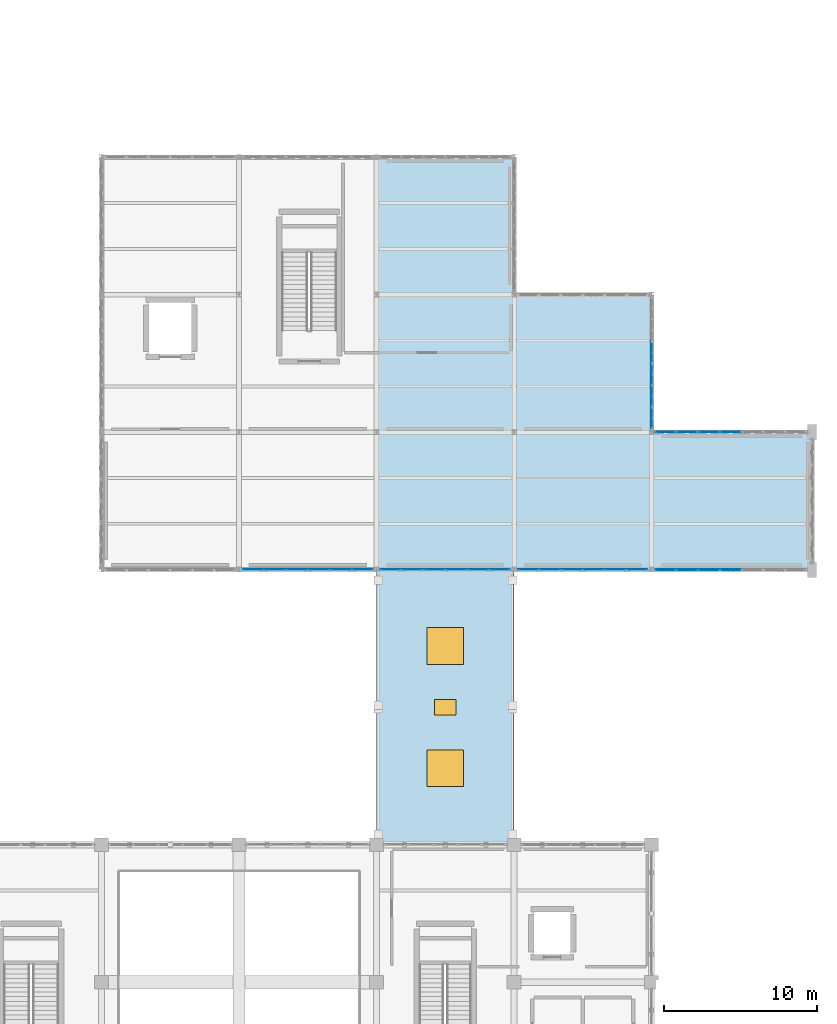
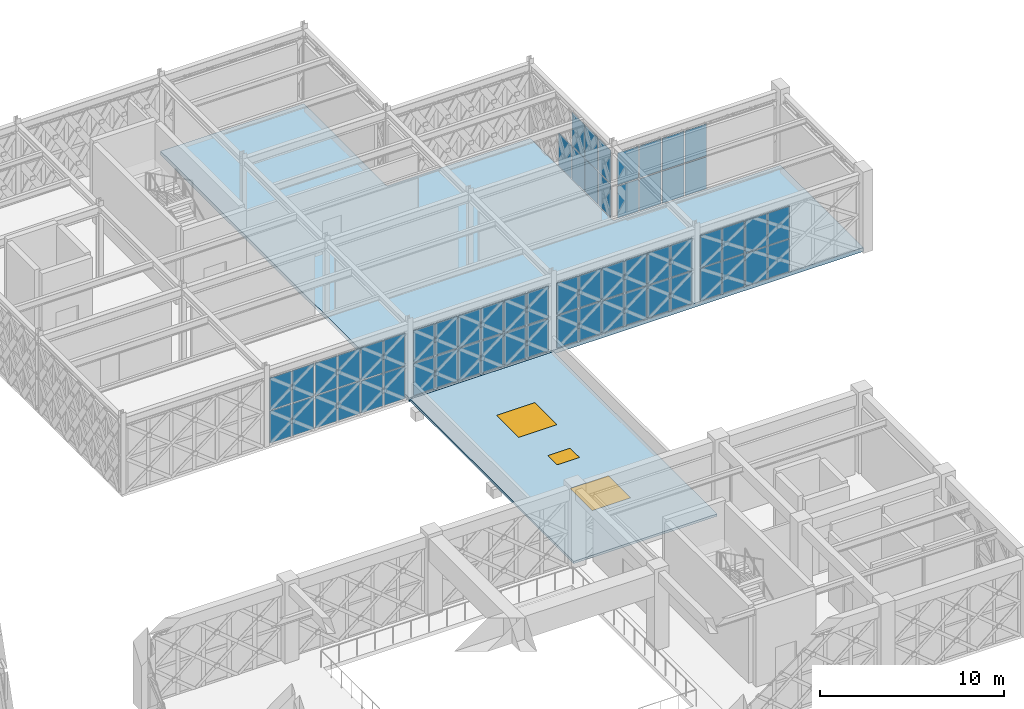
# One storey, part 129 of 155: 59 plates, 2 slabs, 2 windows, 1 door, 3 openings, 6 elements without a shape of their own.
"""IFC4 building model written with IfcOpenShell, lengths in metres."""

import ifcopenshell
import ifcopenshell.guid

model = None  # the IFC model being written
_history = None  # IfcOwnerHistory: only IFC2X3 demands one
_inside = {}  # id of a spatial element -> (the spatial element, [elements in it])
_under = {}  # id of a project, library or spatial element -> (it, [spatial elements below it])
_declared = {}  # id of a project -> (the project, [libraries it declares])
_typed = {}  # id of a type object -> (the type object, [elements of that type])
_made_of = {}  # id of a material, layer set ... -> (it, [elements and type objects made of it])


def new_model(schema):
    """Start an empty IFC model of exactly this schema.

    Asked for "IFC4X3", IfcOpenShell would pick the latest addendum, in which some entities
    have other attributes; the version numbers below select the first issue.
    IFC2X3 requires an IfcOwnerHistory on every rooted entity: one is made here for all.
    """
    global model, _history
    if schema == "IFC4X3":
        model = ifcopenshell.file(schema_version=(4, 3, 0, 0))
    else:
        model = ifcopenshell.file(schema=schema)
    _inside.clear()
    _under.clear()
    _declared.clear()
    _typed.clear()
    _made_of.clear()
    _history = None
    if model.schema == "IFC2X3":
        org = make("IfcOrganization", Name="unknown")
        user = make(
            "IfcPersonAndOrganization",
            ThePerson=make("IfcPerson", FamilyName="unknown"),
            TheOrganization=org,
        )
        app = make(
            "IfcApplication",
            ApplicationDeveloper=org,
            Version="unknown",
            ApplicationFullName="unknown",
            ApplicationIdentifier="unknown",
        )
        _history = make(
            "IfcOwnerHistory",
            OwningUser=user,
            OwningApplication=app,
            ChangeAction="ADDED",
            CreationDate=0,
        )
    return model


def make(cls, **values):
    """One entity of the class cls with the attributes given. An attribute that is None is left unset."""
    return model.create_entity(
        cls, **{name: value for name, value in values.items() if value is not None}
    )


def rooted(cls, **values):
    """An entity with a GlobalId (a new one), such as an element, a storey or a relation."""
    return make(cls, GlobalId=ifcopenshell.guid.new(), OwnerHistory=_history, **values)


def si_unit(unit_type, name, prefix=None):
    """IfcSIUnit, for example si_unit("LENGTHUNIT", "METRE", prefix="MILLI")."""
    return make("IfcSIUnit", UnitType=unit_type, Prefix=prefix, Name=name)


def assignment(units):
    """IfcUnitAssignment: the units of a project."""
    return None if units is None else make("IfcUnitAssignment", Units=units)


def point(xyz):
    """IfcCartesianPoint."""
    return None if xyz is None else make("IfcCartesianPoint", Coordinates=xyz)


def direction(xyz):
    """IfcDirection."""
    return None if xyz is None else make("IfcDirection", DirectionRatios=xyz)


def frame(location, z_axis=None, x_axis=None):
    """IfcAxis2Placement3D, a coordinate frame: its origin and axes. An axis left out is left unset."""
    return make(
        "IfcAxis2Placement3D",
        Location=point(location),
        Axis=direction(z_axis),
        RefDirection=direction(x_axis),
    )


def frame_2d(location, x_axis=None):
    """IfcAxis2Placement2D, a coordinate frame in the plane: its origin and x axis."""
    return make(
        "IfcAxis2Placement2D", Location=point(location), RefDirection=direction(x_axis)
    )


def origin():
    """The frame at (0, 0, 0) with its axes left unset."""
    return frame((0.0, 0.0, 0.0))


def origin_2d():
    """The frame at (0, 0) in the plane with its x axis left unset."""
    return frame_2d((0.0, 0.0))


def place(relative_to, where):
    """IfcLocalPlacement: puts the frame where relative to a parent placement (None: the world)."""
    return make(
        "IfcLocalPlacement", PlacementRelTo=relative_to, RelativePlacement=where
    )


def context(
    kind, dimensions, precision=None, world=None, true_north=None, identifier=None
):
    """IfcGeometricRepresentationContext, for example the 3D "Model" context."""
    return make(
        "IfcGeometricRepresentationContext",
        ContextIdentifier=identifier,
        ContextType=kind,
        CoordinateSpaceDimension=dimensions,
        Precision=precision,
        WorldCoordinateSystem=world,
        TrueNorth=true_north,
    )


def subcontext(parent, identifier, kind, view, scale=None):
    """IfcGeometricRepresentationSubContext, for example "Body" below "Model"."""
    return make(
        "IfcGeometricRepresentationSubContext",
        ContextIdentifier=identifier,
        ContextType=kind,
        ParentContext=parent,
        TargetScale=scale,
        TargetView=view,
    )


def project(units=None, contexts=None):
    """IfcProject with its units and contexts."""
    return rooted(
        "IfcProject",
        Name="project",
        RepresentationContexts=contexts,
        UnitsInContext=assignment(units),
    )


def spatial(cls, under=None, at=None, **own):
    """A site, building, storey or space (cls), placed at a placement, below another one or the project."""
    s = rooted(cls, ObjectPlacement=at, **own)
    if under is not None:
        _under.setdefault(under.id(), (under, []))[1].append(s)
    return s


def polyline(points):
    """IfcPolyline through the points."""
    return make("IfcPolyline", Points=[point(p) for p in points])


def profile(cls, at=None, kind="AREA", **sizes):
    """A parametric profile (cls). Its sizes go by their IFC names, for example OverallWidth=200.0."""
    return make(cls, ProfileType=kind, Position=at, **sizes)


def rectangle(**sizes):
    """IfcRectangleProfileDef."""
    return profile("IfcRectangleProfileDef", **sizes)


def outline(outer, holes=None, kind="AREA"):
    """IfcArbitraryClosedProfileDef: a profile drawn as a closed curve; with holes, ...WithVoids."""
    if holes is None:
        return make("IfcArbitraryClosedProfileDef", ProfileType=kind, OuterCurve=outer)
    return make(
        "IfcArbitraryProfileDefWithVoids",
        ProfileType=kind,
        OuterCurve=outer,
        InnerCurves=holes,
    )


def extrude(swept, where, along, depth):
    """IfcExtrudedAreaSolid: the profile swept, set in the frame where, extruded along a direction by depth."""
    return make(
        "IfcExtrudedAreaSolid",
        SweptArea=swept,
        Position=where,
        ExtrudedDirection=direction(along),
        Depth=depth,
    )


def shape(context_of_items, identifier, shape_type, items):
    """IfcShapeRepresentation: the items that make up one representation, for example the "Body"."""
    return make(
        "IfcShapeRepresentation",
        ContextOfItems=context_of_items,
        RepresentationIdentifier=identifier,
        RepresentationType=shape_type,
        Items=items,
    )


def material(Name=None, Category=None):
    """IfcMaterial."""
    return make("IfcMaterial", Name=Name, Category=Category)


def layer(
    of_material, thickness, ventilated=None, Name=None, Category=None, Priority=None
):
    """IfcMaterialLayer: one layer of a wall or slab, of a material (None: an air gap)."""
    return make(
        "IfcMaterialLayer",
        Material=of_material,
        LayerThickness=thickness,
        IsVentilated=ventilated,
        Name=Name,
        Category=Category,
        Priority=Priority,
    )


def layer_set(layers, Name=None):
    """IfcMaterialLayerSet."""
    return make("IfcMaterialLayerSet", MaterialLayers=layers, LayerSetName=Name)


def made_of(thing, what):
    """Note that an element or type object is made of a material, layer set ...; save() writes the relation."""
    if what is not None:
        _made_of.setdefault(what.id(), (what, []))[1].append(thing)
    return thing


def type_object(cls, material=None, **own):
    """A type object (cls), such as IfcWallType, which elements share."""
    return made_of(rooted(cls, **own), material)


def element(
    cls,
    number,
    at=None,
    inside=None,
    cuts=None,
    type_object=None,
    material=None,
    context=None,
    identifier="Body",
    shape_type=None,
    held_by="IfcProductDefinitionShape",
    body=None,
    shapes=None,
    **own,
):
    """One element of the class cls, such as IfcWall. Its Tag is "e" and its number.

    at: its placement. inside: the storey or other place that contains it. cuts: it is an
    opening in that element (IfcRelVoidsElement). A single representation is given by context,
    identifier, shape_type and body (its items); several are given by shapes. held_by: the class
    of the entity that holds the representations. save() writes the other relations.
    """
    e = rooted(cls, Tag="e%d" % number, ObjectPlacement=at, **own)
    if body is not None:
        shapes = [shape(context, identifier, shape_type, body)]
    if shapes is not None:
        e.Representation = make(held_by, Representations=shapes)
    if inside is not None:
        _inside.setdefault(inside.id(), (inside, []))[1].append(e)
    if cuts is not None:
        rooted(
            "IfcRelVoidsElement", RelatingBuildingElement=cuts, RelatedOpeningElement=e
        )
    if type_object is not None:
        _typed.setdefault(type_object.id(), (type_object, []))[1].append(e)
    return made_of(e, material)


def fill(opening, filler):
    """IfcRelFillsElement: the door or window that sits in an opening."""
    return rooted(
        "IfcRelFillsElement",
        RelatingOpeningElement=opening,
        RelatedBuildingElement=filler,
    )


def aggregate(whole, parts):
    """IfcRelAggregates: a whole, such as a stair, and the parts it consists of."""
    return rooted("IfcRelAggregates", RelatingObject=whole, RelatedObjects=parts)


def save(model, path):
    """Write the relations noted so far, then the file.

    IfcRelAggregates (storeys below a building ...), IfcRelContainedInSpatialStructure (elements
    in a storey), IfcRelDefinesByType, IfcRelAssociatesMaterial and IfcRelDeclares: one each for
    every whole, place, type object, material and project.
    """
    for whole, parts in _under.values():
        aggregate(whole, parts)
    for where, things in _inside.values():
        rooted(
            "IfcRelContainedInSpatialStructure",
            RelatedElements=things,
            RelatingStructure=where,
        )
    for kind, things in _typed.values():
        rooted("IfcRelDefinesByType", RelatedObjects=things, RelatingType=kind)
    for what, things in _made_of.values():
        rooted("IfcRelAssociatesMaterial", RelatedObjects=things, RelatingMaterial=what)
    for by, libraries in _declared.values():
        rooted("IfcRelDeclares", RelatingContext=by, RelatedDefinitions=libraries)
    model.write(path)


model = new_model("IFC4")

# Units and contexts
model_context = context("Model", 3, precision=1e-05, world=origin(), true_north=direction((0.0, 1.0)))
body_context = subcontext(model_context, "Body", "Model", "MODEL_VIEW")
ifc_project = project(units=[si_unit("LENGTHUNIT", "METRE"), si_unit("AREAUNIT", "SQUARE_METRE"), si_unit("VOLUMEUNIT", "CUBIC_METRE"), si_unit("PLANEANGLEUNIT", "RADIAN"), si_unit("MASSUNIT", "GRAM", prefix="KILO")], contexts=[model_context])

# Site, building, storey
site_placement = place(None, origin())
site = spatial("IfcSite", under=ifc_project, at=site_placement, CompositionType="ELEMENT")
building_placement = place(site_placement, origin())
building = spatial("IfcBuilding", under=site, at=building_placement, Name="Haizhuo Lancet Aquarium", CompositionType="ELEMENT")
storey_placement = place(building_placement, frame((0.0, 0.0, 10.800048828125)))
storey = spatial("IfcBuildingStorey", under=building, at=storey_placement, Name="L02", CompositionType="ELEMENT", Elevation=10.800048828125)

# Curtain wall, plates
ifc_material_1 = material(Name="Aluminium 6063-T6", Category="aluminium")
curtain_wall_type_1 = type_object("IfcCurtainWallType", Name="CWD-8610x4560", PredefinedType="NOTDEFINED", material=ifc_material_1)
curtain_wall_1_placement = place(storey_placement, origin())
curtain_wall_1 = element("IfcCurtainWall", 1, at=curtain_wall_1_placement, inside=storey, type_object=curtain_wall_type_1, Name="L02 curtain wall CW-V7-L02-301", PredefinedType="NOTDEFINED")
ifc_material_2 = material(Name="Laminated Low-E Glass", Category="glass")
ifc_layer_1 = layer(ifc_material_2, 0.028076171875)
ifc_layer_set_1 = layer_set([ifc_layer_1], Name="Laminated Low-E Glass")
plate_type_1 = type_object("IfcPlateType", Name="CW-PNL-1", PredefinedType="CURTAIN_PANEL", material=ifc_layer_set_1)
plate_1_placement = place(storey_placement, frame((72.0, 23.218017578125, 0.0654296875), z_axis=(0.0, 0.0, 1.0), x_axis=(0.0, -1.0, 0.0)))
plate_1 = element("IfcPlate", 2, at=plate_1_placement, type_object=plate_type_1, Name="CWD-86x45 panel 3.1", PredefinedType="CURTAIN_PANEL", context=body_context, shape_type="SweptSolid", body=[
    extrude(rectangle(XDim=1.3701171875, YDim=0.028076171875, at=origin_2d()), origin(), (0.0, 0.0, 1.0), 2.18310546875),
])
plate_2_placement = place(storey_placement, frame((72.0, 21.781982421875, 0.0654296875), z_axis=(0.0, 0.0, 1.0), x_axis=(0.0, -1.0, 0.0)))
plate_2 = element("IfcPlate", 3, at=plate_2_placement, type_object=plate_type_1, Name="CWD-86x45 panel 4.1", PredefinedType="CURTAIN_PANEL", context=body_context, shape_type="SweptSolid", body=[
    extrude(rectangle(XDim=1.3701171875, YDim=0.028076171875, at=origin_2d()), origin(), (0.0, 0.0, 1.0), 2.18310546875),
])
plate_3_placement = place(storey_placement, frame((72.0, 21.781982421875, 2.3134765625), z_axis=(0.0, 0.0, 1.0), x_axis=(0.0, -1.0, 0.0)))
plate_3 = element("IfcPlate", 4, at=plate_3_placement, type_object=plate_type_1, Name="CWD-86x45 panel 4.2", PredefinedType="CURTAIN_PANEL", context=body_context, shape_type="SweptSolid", body=[
    extrude(rectangle(XDim=1.3701171875, YDim=0.028076171875, at=origin_2d()), origin(), (0.0, 0.0, 1.0), 2.18310546875),
])
plate_4_placement = place(storey_placement, frame((72.0, 20.347900390625, 0.0654296875), z_axis=(0.0, 0.0, 1.0), x_axis=(0.0, -1.0, 0.0)))
plate_4 = element("IfcPlate", 5, at=plate_4_placement, type_object=plate_type_1, Name="CWD-86x45 panel 5.1", PredefinedType="CURTAIN_PANEL", context=body_context, shape_type="SweptSolid", body=[
    extrude(rectangle(XDim=1.3701171875, YDim=0.028076171875, at=origin_2d()), origin(), (0.0, 0.0, 1.0), 2.18310546875),
])
plate_5_placement = place(storey_placement, frame((72.0, 20.347900390625, 2.3134765625), z_axis=(0.0, 0.0, 1.0), x_axis=(0.0, -1.0, 0.0)))
plate_5 = element("IfcPlate", 6, at=plate_5_placement, type_object=plate_type_1, Name="CWD-86x45 panel 5.2", PredefinedType="CURTAIN_PANEL", context=body_context, shape_type="SweptSolid", body=[
    extrude(rectangle(XDim=1.3701171875, YDim=0.028076171875, at=origin_2d()), origin(), (0.0, 0.0, 1.0), 2.18310546875),
])
plate_6_placement = place(storey_placement, frame((72.0, 18.928955078125, 0.0654296875), z_axis=(0.0, 0.0, 1.0), x_axis=(0.0, -1.0, 0.0)))
plate_6 = element("IfcPlate", 7, at=plate_6_placement, type_object=plate_type_1, Name="CWD-86x45 panel 6.1", PredefinedType="CURTAIN_PANEL", context=body_context, shape_type="SweptSolid", body=[
    extrude(rectangle(XDim=1.3369140625, YDim=0.028076171875, at=origin_2d()), origin(), (0.0, 0.0, 1.0), 2.18310546875),
])
plate_7_placement = place(storey_placement, frame((72.0, 18.928955078125, 2.3134765625), z_axis=(0.0, 0.0, 1.0), x_axis=(0.0, -1.0, 0.0)))
plate_7 = element("IfcPlate", 8, at=plate_7_placement, type_object=plate_type_1, Name="CWD-86x45 panel 6.2", PredefinedType="CURTAIN_PANEL", context=body_context, shape_type="SweptSolid", body=[
    extrude(rectangle(XDim=1.3369140625, YDim=0.028076171875, at=origin_2d()), origin(), (0.0, 0.0, 1.0), 2.18310546875),
])
aggregate(curtain_wall_1, [plate_1, plate_2, plate_3, plate_4, plate_5, plate_6, plate_7])

curtain_wall_type_2 = type_object("IfcCurtainWallType", Name="CWO-8610x4460", PredefinedType="NOTDEFINED", material=ifc_material_1)
curtain_wall_2_placement = place(storey_placement, origin())
curtain_wall_2 = element("IfcCurtainWall", 9, at=curtain_wall_2_placement, inside=storey, type_object=curtain_wall_type_2, Name="L02 curtain wall CW-V7-L02-305", PredefinedType="NOTDEFINED")
plate_8_placement = place(storey_placement, frame((71.069091796875, 9.0, 0.07470703125), z_axis=(0.0, 0.0, 1.0), x_axis=(-1.0, 0.0, 0.0)))
plate_8 = element("IfcPlate", 10, at=plate_8_placement, type_object=plate_type_1, Name="CWO-86x44 panel 1.1", PredefinedType="CURTAIN_PANEL", context=body_context, shape_type="SweptSolid", body=[
    extrude(rectangle(XDim=1.322998046875, YDim=0.028076171875, at=origin_2d()), origin(), (0.0, 0.0, 1.0), 2.118896484375),
])
plate_9_placement = place(storey_placement, frame((71.069091796875, 9.0, 2.2685546875), z_axis=(0.0, 0.0, 1.0), x_axis=(-1.0, 0.0, 0.0)))
plate_9 = element("IfcPlate", 11, at=plate_9_placement, type_object=plate_type_1, Name="CWO-86x44 panel 1.2", PredefinedType="CURTAIN_PANEL", context=body_context, shape_type="SweptSolid", body=[
    extrude(rectangle(XDim=1.322998046875, YDim=0.028076171875, at=origin_2d()), origin(), (0.0, 0.0, 1.0), 2.118896484375),
])
plate_10_placement = place(storey_placement, frame((69.653076171875, 9.0, 0.07470703125), z_axis=(0.0, 0.0, 1.0), x_axis=(-1.0, 0.0, 0.0)))
plate_10 = element("IfcPlate", 12, at=plate_10_placement, type_object=plate_type_1, Name="CWO-86x44 panel 2.1", PredefinedType="CURTAIN_PANEL", context=body_context, shape_type="SweptSolid", body=[
    extrude(rectangle(XDim=1.360107421875, YDim=0.028076171875, at=origin_2d()), origin(), (0.0, 0.0, 1.0), 2.118896484375),
])
plate_11_placement = place(storey_placement, frame((69.653076171875, 9.0, 2.2685546875), z_axis=(0.0, 0.0, 1.0), x_axis=(-1.0, 0.0, 0.0)))
plate_11 = element("IfcPlate", 13, at=plate_11_placement, type_object=plate_type_1, Name="CWO-86x44 panel 2.2", PredefinedType="CURTAIN_PANEL", context=body_context, shape_type="SweptSolid", body=[
    extrude(rectangle(XDim=1.360107421875, YDim=0.028076171875, at=origin_2d()), origin(), (0.0, 0.0, 1.0), 2.118896484375),
])
plate_12_placement = place(storey_placement, frame((68.218017578125, 9.0, 0.07470703125), z_axis=(0.0, 0.0, 1.0), x_axis=(-1.0, 0.0, 0.0)))
plate_12 = element("IfcPlate", 14, at=plate_12_placement, type_object=plate_type_1, Name="CWO-86x44 panel 3.1", PredefinedType="CURTAIN_PANEL", context=body_context, shape_type="SweptSolid", body=[
    extrude(rectangle(XDim=1.360107421875, YDim=0.028076171875, at=origin_2d()), origin(), (0.0, 0.0, 1.0), 2.118896484375),
])
plate_13_placement = place(storey_placement, frame((68.218017578125, 9.0, 2.2685546875), z_axis=(0.0, 0.0, 1.0), x_axis=(-1.0, 0.0, 0.0)))
plate_13 = element("IfcPlate", 15, at=plate_13_placement, type_object=plate_type_1, Name="CWO-86x44 panel 3.2", PredefinedType="CURTAIN_PANEL", context=body_context, shape_type="SweptSolid", body=[
    extrude(rectangle(XDim=1.360107421875, YDim=0.028076171875, at=origin_2d()), origin(), (0.0, 0.0, 1.0), 2.118896484375),
])
plate_14_placement = place(storey_placement, frame((66.781982421875, 9.0, 0.07470703125), z_axis=(0.0, 0.0, 1.0), x_axis=(-1.0, 0.0, 0.0)))
plate_14 = element("IfcPlate", 16, at=plate_14_placement, type_object=plate_type_1, Name="CWO-86x44 panel 4.1", PredefinedType="CURTAIN_PANEL", context=body_context, shape_type="SweptSolid", body=[
    extrude(rectangle(XDim=1.360107421875, YDim=0.028076171875, at=origin_2d()), origin(), (0.0, 0.0, 1.0), 2.118896484375),
])
plate_15_placement = place(storey_placement, frame((66.781982421875, 9.0, 2.2685546875), z_axis=(0.0, 0.0, 1.0), x_axis=(-1.0, 0.0, 0.0)))
plate_15 = element("IfcPlate", 17, at=plate_15_placement, type_object=plate_type_1, Name="CWO-86x44 panel 4.2", PredefinedType="CURTAIN_PANEL", context=body_context, shape_type="SweptSolid", body=[
    extrude(rectangle(XDim=1.360107421875, YDim=0.028076171875, at=origin_2d()), origin(), (0.0, 0.0, 1.0), 2.118896484375),
])
plate_16_placement = place(storey_placement, frame((65.346923828125, 9.0, 0.07470703125), z_axis=(0.0, 0.0, 1.0), x_axis=(-1.0, 0.0, 0.0)))
plate_16 = element("IfcPlate", 18, at=plate_16_placement, type_object=plate_type_1, Name="CWO-86x44 panel 5.1", PredefinedType="CURTAIN_PANEL", context=body_context, shape_type="SweptSolid", body=[
    extrude(rectangle(XDim=1.360107421875, YDim=0.028076171875, at=origin_2d()), origin(), (0.0, 0.0, 1.0), 2.118896484375),
])
plate_17_placement = place(storey_placement, frame((65.346923828125, 9.0, 2.2685546875), z_axis=(0.0, 0.0, 1.0), x_axis=(-1.0, 0.0, 0.0)))
plate_17 = element("IfcPlate", 19, at=plate_17_placement, type_object=plate_type_1, Name="CWO-86x44 panel 5.2", PredefinedType="CURTAIN_PANEL", context=body_context, shape_type="SweptSolid", body=[
    extrude(rectangle(XDim=1.360107421875, YDim=0.028076171875, at=origin_2d()), origin(), (0.0, 0.0, 1.0), 2.118896484375),
])
plate_18_placement = place(storey_placement, frame((63.930908203125, 9.0, 0.07470703125), z_axis=(0.0, 0.0, 1.0), x_axis=(-1.0, 0.0, 0.0)))
plate_18 = element("IfcPlate", 20, at=plate_18_placement, type_object=plate_type_1, Name="CWO-86x44 panel 6.1", PredefinedType="CURTAIN_PANEL", context=body_context, shape_type="SweptSolid", body=[
    extrude(rectangle(XDim=1.322998046875, YDim=0.028076171875, at=origin_2d()), origin(), (0.0, 0.0, 1.0), 2.118896484375),
])
plate_19_placement = place(storey_placement, frame((63.930908203125, 9.0, 2.2685546875), z_axis=(0.0, 0.0, 1.0), x_axis=(-1.0, 0.0, 0.0)))
plate_19 = element("IfcPlate", 21, at=plate_19_placement, type_object=plate_type_1, Name="CWO-86x44 panel 6.2", PredefinedType="CURTAIN_PANEL", context=body_context, shape_type="SweptSolid", body=[
    extrude(rectangle(XDim=1.322998046875, YDim=0.028076171875, at=origin_2d()), origin(), (0.0, 0.0, 1.0), 2.118896484375),
])
aggregate(curtain_wall_2, [plate_8, plate_9, plate_10, plate_11, plate_12, plate_13, plate_14, plate_15, plate_16, plate_17, plate_18, plate_19])

curtain_wall_type_3 = type_object("IfcCurtainWallType", Name="CWD-9960x4460", PredefinedType="NOTDEFINED", material=ifc_material_1)
curtain_wall_3_placement = place(storey_placement, origin())
curtain_wall_3 = element("IfcCurtainWall", 22, at=curtain_wall_3_placement, inside=storey, type_object=curtain_wall_type_3, Name="L02 curtain wall CW-V7-L02-302", PredefinedType="NOTDEFINED")
ifc_layer_2 = layer(ifc_material_2, 0.033935546875)
ifc_layer_set_2 = layer_set([ifc_layer_2], Name="Laminated Low-E Glass")
plate_type_2 = type_object("IfcPlateType", Name="CW-PNL-2", PredefinedType="CURTAIN_PANEL", material=ifc_layer_set_2)
plate_20_placement = place(storey_placement, frame((72.925048828125, 18.0, 0.07470703125), z_axis=(0.0, 0.0, 1.0), x_axis=(1.0, 0.0, 0.0)))
plate_20 = element("IfcPlate", 23, at=plate_20_placement, type_object=plate_type_2, Name="CWD-99x44 panel 1.1", PredefinedType="CURTAIN_PANEL", context=body_context, shape_type="SweptSolid", body=[
    extrude(rectangle(XDim=1.31005859375, YDim=0.033935546875, at=origin_2d()), origin(), (0.0, 0.0, 1.0), 2.118896484375),
])
plate_21_placement = place(storey_placement, frame((72.925048828125, 18.0, 2.2685546875), z_axis=(0.0, 0.0, 1.0), x_axis=(1.0, 0.0, 0.0)))
plate_21 = element("IfcPlate", 24, at=plate_21_placement, type_object=plate_type_2, Name="CWD-99x44 panel 1.2", PredefinedType="CURTAIN_PANEL", context=body_context, shape_type="SweptSolid", body=[
    extrude(rectangle(XDim=1.31005859375, YDim=0.033935546875, at=origin_2d()), origin(), (0.0, 0.0, 1.0), 2.118896484375),
])
plate_22_placement = place(storey_placement, frame((74.3291015625, 18.0, 0.07470703125), z_axis=(0.0, 0.0, 1.0), x_axis=(1.0, 0.0, 0.0)))
plate_22 = element("IfcPlate", 25, at=plate_22_placement, type_object=plate_type_2, Name="CWD-99x44 panel 2.1", PredefinedType="CURTAIN_PANEL", context=body_context, shape_type="SweptSolid", body=[
    extrude(rectangle(XDim=1.347900390625, YDim=0.033935546875, at=origin_2d()), origin(), (0.0, 0.0, 1.0), 2.118896484375),
])
plate_23_placement = place(storey_placement, frame((74.3291015625, 18.0, 2.2685546875), z_axis=(0.0, 0.0, 1.0), x_axis=(1.0, 0.0, 0.0)))
plate_23 = element("IfcPlate", 26, at=plate_23_placement, type_object=plate_type_2, Name="CWD-99x44 panel 2.2", PredefinedType="CURTAIN_PANEL", context=body_context, shape_type="SweptSolid", body=[
    extrude(rectangle(XDim=1.347900390625, YDim=0.033935546875, at=origin_2d()), origin(), (0.0, 0.0, 1.0), 2.118896484375),
])
plate_24_placement = place(storey_placement, frame((75.751953125, 18.0, 0.07470703125), z_axis=(0.0, 0.0, 1.0), x_axis=(1.0, 0.0, 0.0)))
plate_24 = element("IfcPlate", 27, at=plate_24_placement, type_object=plate_type_2, Name="CWD-99x44 panel 3.1", PredefinedType="CURTAIN_PANEL", context=body_context, shape_type="SweptSolid", body=[
    extrude(rectangle(XDim=1.347900390625, YDim=0.033935546875, at=origin_2d()), origin(), (0.0, 0.0, 1.0), 2.118896484375),
])
plate_25_placement = place(storey_placement, frame((75.751953125, 18.0, 2.2685546875), z_axis=(0.0, 0.0, 1.0), x_axis=(1.0, 0.0, 0.0)))
plate_25 = element("IfcPlate", 28, at=plate_25_placement, type_object=plate_type_2, Name="CWD-99x44 panel 3.2", PredefinedType="CURTAIN_PANEL", context=body_context, shape_type="SweptSolid", body=[
    extrude(rectangle(XDim=1.347900390625, YDim=0.033935546875, at=origin_2d()), origin(), (0.0, 0.0, 1.0), 2.118896484375),
])
plate_26_placement = place(storey_placement, frame((77.175048828125, 18.0, 0.07470703125), z_axis=(0.0, 0.0, 1.0), x_axis=(1.0, 0.0, 0.0)))
plate_26 = element("IfcPlate", 29, at=plate_26_placement, type_object=plate_type_2, Name="CWD-99x44 panel 4.1", PredefinedType="CURTAIN_PANEL", context=body_context, shape_type="SweptSolid", body=[
    extrude(rectangle(XDim=1.347900390625, YDim=0.033935546875, at=origin_2d()), origin(), (0.0, 0.0, 1.0), 2.118896484375),
])
plate_27_placement = place(storey_placement, frame((77.175048828125, 18.0, 2.2685546875), z_axis=(0.0, 0.0, 1.0), x_axis=(1.0, 0.0, 0.0)))
plate_27 = element("IfcPlate", 30, at=plate_27_placement, type_object=plate_type_2, Name="CWD-99x44 panel 4.2", PredefinedType="CURTAIN_PANEL", context=body_context, shape_type="SweptSolid", body=[
    extrude(rectangle(XDim=1.347900390625, YDim=0.033935546875, at=origin_2d()), origin(), (0.0, 0.0, 1.0), 2.118896484375),
])
aggregate(curtain_wall_3, [plate_20, plate_21, plate_22, plate_23, plate_24, plate_25, plate_26, plate_27])

curtain_wall_4_placement = place(storey_placement, origin())
curtain_wall_4 = element("IfcCurtainWall", 31, at=curtain_wall_4_placement, inside=storey, type_object=curtain_wall_type_2, Name="L02 curtain wall CW-V7-L02-306", PredefinedType="NOTDEFINED")
plate_28_placement = place(storey_placement, frame((62.068115234375, 9.0, 0.08056640625), z_axis=(0.0, 0.0, 1.0), x_axis=(-1.0, 0.0, 0.0)))
plate_28 = element("IfcPlate", 32, at=plate_28_placement, type_object=plate_type_2, Name="CWO-86x44 panel 1.1", PredefinedType="CURTAIN_PANEL", context=body_context, shape_type="SweptSolid", body=[
    extrude(rectangle(XDim=1.31494140625, YDim=0.033935546875, at=origin_2d()), origin(), (0.0, 0.0, 1.0), 2.111083984375),
])
plate_29_placement = place(storey_placement, frame((62.068115234375, 9.0, 2.271484375), z_axis=(0.0, 0.0, 1.0), x_axis=(-1.0, 0.0, 0.0)))
plate_29 = element("IfcPlate", 33, at=plate_29_placement, type_object=plate_type_2, Name="CWO-86x44 panel 1.2", PredefinedType="CURTAIN_PANEL", context=body_context, shape_type="SweptSolid", body=[
    extrude(rectangle(XDim=1.31494140625, YDim=0.033935546875, at=origin_2d()), origin(), (0.0, 0.0, 1.0), 2.111083984375),
])
plate_30_placement = place(storey_placement, frame((60.653076171875, 9.0, 0.08056640625), z_axis=(0.0, 0.0, 1.0), x_axis=(-1.0, 0.0, 0.0)))
plate_30 = element("IfcPlate", 34, at=plate_30_placement, type_object=plate_type_2, Name="CWO-86x44 panel 2.1", PredefinedType="CURTAIN_PANEL", context=body_context, shape_type="SweptSolid", body=[
    extrude(rectangle(XDim=1.35498046875, YDim=0.033935546875, at=origin_2d()), origin(), (0.0, 0.0, 1.0), 2.111083984375),
])
plate_31_placement = place(storey_placement, frame((60.653076171875, 9.0, 2.271484375), z_axis=(0.0, 0.0, 1.0), x_axis=(-1.0, 0.0, 0.0)))
plate_31 = element("IfcPlate", 35, at=plate_31_placement, type_object=plate_type_2, Name="CWO-86x44 panel 2.2", PredefinedType="CURTAIN_PANEL", context=body_context, shape_type="SweptSolid", body=[
    extrude(rectangle(XDim=1.35498046875, YDim=0.033935546875, at=origin_2d()), origin(), (0.0, 0.0, 1.0), 2.111083984375),
])
plate_32_placement = place(storey_placement, frame((59.218017578125, 9.0, 0.08056640625), z_axis=(0.0, 0.0, 1.0), x_axis=(-1.0, 0.0, 0.0)))
plate_32 = element("IfcPlate", 36, at=plate_32_placement, type_object=plate_type_2, Name="CWO-86x44 panel 3.1", PredefinedType="CURTAIN_PANEL", context=body_context, shape_type="SweptSolid", body=[
    extrude(rectangle(XDim=1.35498046875, YDim=0.033935546875, at=origin_2d()), origin(), (0.0, 0.0, 1.0), 2.111083984375),
])
plate_33_placement = place(storey_placement, frame((59.218017578125, 9.0, 2.271484375), z_axis=(0.0, 0.0, 1.0), x_axis=(-1.0, 0.0, 0.0)))
plate_33 = element("IfcPlate", 37, at=plate_33_placement, type_object=plate_type_2, Name="CWO-86x44 panel 3.2", PredefinedType="CURTAIN_PANEL", context=body_context, shape_type="SweptSolid", body=[
    extrude(rectangle(XDim=1.35498046875, YDim=0.033935546875, at=origin_2d()), origin(), (0.0, 0.0, 1.0), 2.111083984375),
])
plate_34_placement = place(storey_placement, frame((57.781982421875, 9.0, 0.08056640625), z_axis=(0.0, 0.0, 1.0), x_axis=(-1.0, 0.0, 0.0)))
plate_34 = element("IfcPlate", 38, at=plate_34_placement, type_object=plate_type_2, Name="CWO-86x44 panel 4.1", PredefinedType="CURTAIN_PANEL", context=body_context, shape_type="SweptSolid", body=[
    extrude(rectangle(XDim=1.35498046875, YDim=0.033935546875, at=origin_2d()), origin(), (0.0, 0.0, 1.0), 2.111083984375),
])
plate_35_placement = place(storey_placement, frame((57.781982421875, 9.0, 2.271484375), z_axis=(0.0, 0.0, 1.0), x_axis=(-1.0, 0.0, 0.0)))
plate_35 = element("IfcPlate", 39, at=plate_35_placement, type_object=plate_type_2, Name="CWO-86x44 panel 4.2", PredefinedType="CURTAIN_PANEL", context=body_context, shape_type="SweptSolid", body=[
    extrude(rectangle(XDim=1.35498046875, YDim=0.033935546875, at=origin_2d()), origin(), (0.0, 0.0, 1.0), 2.111083984375),
])
plate_36_placement = place(storey_placement, frame((56.346923828125, 9.0, 0.08056640625), z_axis=(0.0, 0.0, 1.0), x_axis=(-1.0, 0.0, 0.0)))
plate_36 = element("IfcPlate", 40, at=plate_36_placement, type_object=plate_type_2, Name="CWO-86x44 panel 5.1", PredefinedType="CURTAIN_PANEL", context=body_context, shape_type="SweptSolid", body=[
    extrude(rectangle(XDim=1.35498046875, YDim=0.033935546875, at=origin_2d()), origin(), (0.0, 0.0, 1.0), 2.111083984375),
])
plate_37_placement = place(storey_placement, frame((56.346923828125, 9.0, 2.271484375), z_axis=(0.0, 0.0, 1.0), x_axis=(-1.0, 0.0, 0.0)))
plate_37 = element("IfcPlate", 41, at=plate_37_placement, type_object=plate_type_2, Name="CWO-86x44 panel 5.2", PredefinedType="CURTAIN_PANEL", context=body_context, shape_type="SweptSolid", body=[
    extrude(rectangle(XDim=1.35498046875, YDim=0.033935546875, at=origin_2d()), origin(), (0.0, 0.0, 1.0), 2.111083984375),
])
plate_38_placement = place(storey_placement, frame((54.931884765625, 9.0, 0.08056640625), z_axis=(0.0, 0.0, 1.0), x_axis=(-1.0, 0.0, 0.0)))
plate_38 = element("IfcPlate", 42, at=plate_38_placement, type_object=plate_type_2, Name="CWO-86x44 panel 6.1", PredefinedType="CURTAIN_PANEL", context=body_context, shape_type="SweptSolid", body=[
    extrude(rectangle(XDim=1.31494140625, YDim=0.033935546875, at=origin_2d()), origin(), (0.0, 0.0, 1.0), 2.111083984375),
])
plate_39_placement = place(storey_placement, frame((54.931884765625, 9.0, 2.271484375), z_axis=(0.0, 0.0, 1.0), x_axis=(-1.0, 0.0, 0.0)))
plate_39 = element("IfcPlate", 43, at=plate_39_placement, type_object=plate_type_2, Name="CWO-86x44 panel 6.2", PredefinedType="CURTAIN_PANEL", context=body_context, shape_type="SweptSolid", body=[
    extrude(rectangle(XDim=1.31494140625, YDim=0.033935546875, at=origin_2d()), origin(), (0.0, 0.0, 1.0), 2.111083984375),
])
aggregate(curtain_wall_4, [plate_28, plate_29, plate_30, plate_31, plate_32, plate_33, plate_34, plate_35, plate_36, plate_37, plate_38, plate_39])

curtain_wall_5_placement = place(storey_placement, origin())
curtain_wall_5 = element("IfcCurtainWall", 44, at=curtain_wall_5_placement, inside=storey, type_object=curtain_wall_type_2, Name="L02 curtain wall CW-V7-L02-307", PredefinedType="NOTDEFINED")
ifc_layer_3 = layer(ifc_material_2, 0.0419921875)
ifc_layer_set_3 = layer_set([ifc_layer_3], Name="Laminated Low-E Glass")
plate_type_3 = type_object("IfcPlateType", Name="CW-PNL-3", PredefinedType="CURTAIN_PANEL", material=ifc_layer_set_3)
plate_40_placement = place(storey_placement, frame((53.071044921875, 9.0, 0.0654296875), z_axis=(0.0, 0.0, 1.0), x_axis=(-1.0, 0.0, 0.0)))
plate_40 = element("IfcPlate", 45, at=plate_40_placement, type_object=plate_type_3, Name="CWO-86x44 panel 1.1", PredefinedType="CURTAIN_PANEL", context=body_context, shape_type="SweptSolid", body=[
    extrude(rectangle(XDim=1.3369140625, YDim=0.0419921875, at=origin_2d()), origin(), (0.0, 0.0, 1.0), 2.133056640625),
])
plate_41_placement = place(storey_placement, frame((53.071044921875, 9.0, 2.26318359375), z_axis=(0.0, 0.0, 1.0), x_axis=(-1.0, 0.0, 0.0)))
plate_41 = element("IfcPlate", 46, at=plate_41_placement, type_object=plate_type_3, Name="CWO-86x44 panel 1.2", PredefinedType="CURTAIN_PANEL", context=body_context, shape_type="SweptSolid", body=[
    extrude(rectangle(XDim=1.3369140625, YDim=0.0419921875, at=origin_2d()), origin(), (0.0, 0.0, 1.0), 2.133056640625),
])
plate_42_placement = place(storey_placement, frame((51.653076171875, 9.0, 0.0654296875), z_axis=(0.0, 0.0, 1.0), x_axis=(-1.0, 0.0, 0.0)))
plate_42 = element("IfcPlate", 47, at=plate_42_placement, type_object=plate_type_3, Name="CWO-86x44 panel 2.1", PredefinedType="CURTAIN_PANEL", context=body_context, shape_type="SweptSolid", body=[
    extrude(rectangle(XDim=1.3701171875, YDim=0.0419921875, at=origin_2d()), origin(), (0.0, 0.0, 1.0), 2.133056640625),
])
plate_43_placement = place(storey_placement, frame((51.653076171875, 9.0, 2.26318359375), z_axis=(0.0, 0.0, 1.0), x_axis=(-1.0, 0.0, 0.0)))
plate_43 = element("IfcPlate", 48, at=plate_43_placement, type_object=plate_type_3, Name="CWO-86x44 panel 2.2", PredefinedType="CURTAIN_PANEL", context=body_context, shape_type="SweptSolid", body=[
    extrude(rectangle(XDim=1.3701171875, YDim=0.0419921875, at=origin_2d()), origin(), (0.0, 0.0, 1.0), 2.133056640625),
])
plate_44_placement = place(storey_placement, frame((50.218017578125, 9.0, 0.0654296875), z_axis=(0.0, 0.0, 1.0), x_axis=(-1.0, 0.0, 0.0)))
plate_44 = element("IfcPlate", 49, at=plate_44_placement, type_object=plate_type_3, Name="CWO-86x44 panel 3.1", PredefinedType="CURTAIN_PANEL", context=body_context, shape_type="SweptSolid", body=[
    extrude(rectangle(XDim=1.3701171875, YDim=0.0419921875, at=origin_2d()), origin(), (0.0, 0.0, 1.0), 2.133056640625),
])
plate_45_placement = place(storey_placement, frame((50.218017578125, 9.0, 2.26318359375), z_axis=(0.0, 0.0, 1.0), x_axis=(-1.0, 0.0, 0.0)))
plate_45 = element("IfcPlate", 50, at=plate_45_placement, type_object=plate_type_3, Name="CWO-86x44 panel 3.2", PredefinedType="CURTAIN_PANEL", context=body_context, shape_type="SweptSolid", body=[
    extrude(rectangle(XDim=1.3701171875, YDim=0.0419921875, at=origin_2d()), origin(), (0.0, 0.0, 1.0), 2.133056640625),
])
plate_46_placement = place(storey_placement, frame((48.781982421875, 9.0, 0.0654296875), z_axis=(0.0, 0.0, 1.0), x_axis=(-1.0, 0.0, 0.0)))
plate_46 = element("IfcPlate", 51, at=plate_46_placement, type_object=plate_type_3, Name="CWO-86x44 panel 4.1", PredefinedType="CURTAIN_PANEL", context=body_context, shape_type="SweptSolid", body=[
    extrude(rectangle(XDim=1.3701171875, YDim=0.0419921875, at=origin_2d()), origin(), (0.0, 0.0, 1.0), 2.133056640625),
])
plate_47_placement = place(storey_placement, frame((48.781982421875, 9.0, 2.26318359375), z_axis=(0.0, 0.0, 1.0), x_axis=(-1.0, 0.0, 0.0)))
plate_47 = element("IfcPlate", 52, at=plate_47_placement, type_object=plate_type_3, Name="CWO-86x44 panel 4.2", PredefinedType="CURTAIN_PANEL", context=body_context, shape_type="SweptSolid", body=[
    extrude(rectangle(XDim=1.3701171875, YDim=0.0419921875, at=origin_2d()), origin(), (0.0, 0.0, 1.0), 2.133056640625),
])
plate_48_placement = place(storey_placement, frame((47.346923828125, 9.0, 0.0654296875), z_axis=(0.0, 0.0, 1.0), x_axis=(-1.0, 0.0, 0.0)))
plate_48 = element("IfcPlate", 53, at=plate_48_placement, type_object=plate_type_3, Name="CWO-86x44 panel 5.1", PredefinedType="CURTAIN_PANEL", context=body_context, shape_type="SweptSolid", body=[
    extrude(rectangle(XDim=1.3701171875, YDim=0.0419921875, at=origin_2d()), origin(), (0.0, 0.0, 1.0), 2.133056640625),
])
plate_49_placement = place(storey_placement, frame((47.346923828125, 9.0, 2.26318359375), z_axis=(0.0, 0.0, 1.0), x_axis=(-1.0, 0.0, 0.0)))
plate_49 = element("IfcPlate", 54, at=plate_49_placement, type_object=plate_type_3, Name="CWO-86x44 panel 5.2", PredefinedType="CURTAIN_PANEL", context=body_context, shape_type="SweptSolid", body=[
    extrude(rectangle(XDim=1.3701171875, YDim=0.0419921875, at=origin_2d()), origin(), (0.0, 0.0, 1.0), 2.133056640625),
])
plate_50_placement = place(storey_placement, frame((45.928955078125, 9.0, 0.0654296875), z_axis=(0.0, 0.0, 1.0), x_axis=(-1.0, 0.0, 0.0)))
plate_50 = element("IfcPlate", 55, at=plate_50_placement, type_object=plate_type_3, Name="CWO-86x44 panel 6.1", PredefinedType="CURTAIN_PANEL", context=body_context, shape_type="SweptSolid", body=[
    extrude(rectangle(XDim=1.3369140625, YDim=0.0419921875, at=origin_2d()), origin(), (0.0, 0.0, 1.0), 2.133056640625),
])
plate_51_placement = place(storey_placement, frame((45.928955078125, 9.0, 2.26318359375), z_axis=(0.0, 0.0, 1.0), x_axis=(-1.0, 0.0, 0.0)))
plate_51 = element("IfcPlate", 56, at=plate_51_placement, type_object=plate_type_3, Name="CWO-86x44 panel 6.2", PredefinedType="CURTAIN_PANEL", context=body_context, shape_type="SweptSolid", body=[
    extrude(rectangle(XDim=1.3369140625, YDim=0.0419921875, at=origin_2d()), origin(), (0.0, 0.0, 1.0), 2.133056640625),
])
aggregate(curtain_wall_5, [plate_40, plate_41, plate_42, plate_43, plate_44, plate_45, plate_46, plate_47, plate_48, plate_49, plate_50, plate_51])

curtain_wall_type_4 = type_object("IfcCurtainWallType", Name="CWO-9960x4460", PredefinedType="NOTDEFINED", material=ifc_material_1)
curtain_wall_6_placement = place(storey_placement, origin())
curtain_wall_6 = element("IfcCurtainWall", 57, at=curtain_wall_6_placement, inside=storey, type_object=curtain_wall_type_4, Name="L02 curtain wall CW-V7-L02-304", PredefinedType="NOTDEFINED")
ifc_layer_4 = layer(ifc_material_2, 0.052001953125)
ifc_layer_set_4 = layer_set([ifc_layer_4], Name="Laminated Low-E Glass")
plate_type_4 = type_object("IfcPlateType", Name="CW-PNL-4", PredefinedType="CURTAIN_PANEL", material=ifc_layer_set_4)
plate_52_placement = place(storey_placement, frame((77.175048828125, 9.0, 0.0654296875), z_axis=(0.0, 0.0, 1.0), x_axis=(-1.0, 0.0, 0.0)))
plate_52 = element("IfcPlate", 58, at=plate_52_placement, type_object=plate_type_4, Name="CWO-99x44 panel 4.1", PredefinedType="CURTAIN_PANEL", context=body_context, shape_type="SweptSolid", body=[
    extrude(rectangle(XDim=1.35791015625, YDim=0.052001953125, at=origin_2d()), origin(), (0.0, 0.0, 1.0), 2.133056640625),
])
plate_53_placement = place(storey_placement, frame((77.175048828125, 9.0, 2.26318359375), z_axis=(0.0, 0.0, 1.0), x_axis=(-1.0, 0.0, 0.0)))
plate_53 = element("IfcPlate", 59, at=plate_53_placement, type_object=plate_type_4, Name="CWO-99x44 panel 4.2", PredefinedType="CURTAIN_PANEL", context=body_context, shape_type="SweptSolid", body=[
    extrude(rectangle(XDim=1.35791015625, YDim=0.052001953125, at=origin_2d()), origin(), (0.0, 0.0, 1.0), 2.133056640625),
])
plate_54_placement = place(storey_placement, frame((75.751953125, 9.0, 0.0654296875), z_axis=(0.0, 0.0, 1.0), x_axis=(-1.0, 0.0, 0.0)))
plate_54 = element("IfcPlate", 60, at=plate_54_placement, type_object=plate_type_4, Name="CWO-99x44 panel 5.1", PredefinedType="CURTAIN_PANEL", context=body_context, shape_type="SweptSolid", body=[
    extrude(rectangle(XDim=1.35791015625, YDim=0.052001953125, at=origin_2d()), origin(), (0.0, 0.0, 1.0), 2.133056640625),
])
plate_55_placement = place(storey_placement, frame((75.751953125, 9.0, 2.26318359375), z_axis=(0.0, 0.0, 1.0), x_axis=(-1.0, 0.0, 0.0)))
plate_55 = element("IfcPlate", 61, at=plate_55_placement, type_object=plate_type_4, Name="CWO-99x44 panel 5.2", PredefinedType="CURTAIN_PANEL", context=body_context, shape_type="SweptSolid", body=[
    extrude(rectangle(XDim=1.35791015625, YDim=0.052001953125, at=origin_2d()), origin(), (0.0, 0.0, 1.0), 2.133056640625),
])
plate_56_placement = place(storey_placement, frame((74.3291015625, 9.0, 0.0654296875), z_axis=(0.0, 0.0, 1.0), x_axis=(-1.0, 0.0, 0.0)))
plate_56 = element("IfcPlate", 62, at=plate_56_placement, type_object=plate_type_4, Name="CWO-99x44 panel 6.1", PredefinedType="CURTAIN_PANEL", context=body_context, shape_type="SweptSolid", body=[
    extrude(rectangle(XDim=1.35791015625, YDim=0.052001953125, at=origin_2d()), origin(), (0.0, 0.0, 1.0), 2.133056640625),
])
plate_57_placement = place(storey_placement, frame((74.3291015625, 9.0, 2.26318359375), z_axis=(0.0, 0.0, 1.0), x_axis=(-1.0, 0.0, 0.0)))
plate_57 = element("IfcPlate", 63, at=plate_57_placement, type_object=plate_type_4, Name="CWO-99x44 panel 6.2", PredefinedType="CURTAIN_PANEL", context=body_context, shape_type="SweptSolid", body=[
    extrude(rectangle(XDim=1.35791015625, YDim=0.052001953125, at=origin_2d()), origin(), (0.0, 0.0, 1.0), 2.133056640625),
])
plate_58_placement = place(storey_placement, frame((72.923095703125, 9.0, 0.0654296875), z_axis=(0.0, 0.0, 1.0), x_axis=(-1.0, 0.0, 0.0)))
plate_58 = element("IfcPlate", 64, at=plate_58_placement, type_object=plate_type_4, Name="CWO-99x44 panel 7.1", PredefinedType="CURTAIN_PANEL", context=body_context, shape_type="SweptSolid", body=[
    extrude(rectangle(XDim=1.324951171875, YDim=0.052001953125, at=origin_2d()), origin(), (0.0, 0.0, 1.0), 2.133056640625),
])
plate_59_placement = place(storey_placement, frame((72.923095703125, 9.0, 2.26318359375), z_axis=(0.0, 0.0, 1.0), x_axis=(-1.0, 0.0, 0.0)))
plate_59 = element("IfcPlate", 65, at=plate_59_placement, type_object=plate_type_4, Name="CWO-99x44 panel 7.2", PredefinedType="CURTAIN_PANEL", context=body_context, shape_type="SweptSolid", body=[
    extrude(rectangle(XDim=1.324951171875, YDim=0.052001953125, at=origin_2d()), origin(), (0.0, 0.0, 1.0), 2.133056640625),
])
aggregate(curtain_wall_6, [plate_52, plate_53, plate_54, plate_55, plate_56, plate_57, plate_58, plate_59])

# Slab, openings, door, windows
ifc_material_3 = material(Name="Concrete C40/50", Category="concrete")
ifc_layer_5 = layer(ifc_material_3, 0.14990234375)
ifc_layer_set_5 = layer_set([ifc_layer_5], Name="Concrete C40/50")
slab_type_1 = type_object("IfcSlabType", Name="SLB-CANOPY-150", PredefinedType="ROOF", material=ifc_layer_set_5)
slab_1_placement = place(storey_placement, frame((0.0, 0.0, -0.150146484375)))
slab_1 = element("IfcSlab", 66, at=slab_1_placement, inside=storey, type_object=slab_type_1, Name="L02 structural slab SL-SB-02-RF-01", PredefinedType="ROOF", context=body_context, shape_type="SweptSolid", body=[
    extrude(outline(polyline([(54.0, -8.8798828125), (63.0, -8.8798828125), (63.0, 8.8798828125), (54.0, 8.8798828125), (54.0, -8.8798828125)])), origin(), (0.0, 0.0, 1.0), 0.150146484375),
])
opening_1_placement = place(slab_1_placement, frame((58.5, -4.0, 0.0)))
opening_1 = element("IfcOpeningElement", 67, at=opening_1_placement, cuts=slab_1, Name="Opening SK-01", PredefinedType="OPENING", context=body_context, shape_type="SweptSolid", body=[
    extrude(rectangle(XDim=2.39990234375, YDim=2.39990234375, at=origin_2d()), origin(), (0.0, 0.0, 1.0), 0.150146484375),
])
opening_2_placement = place(slab_1_placement, frame((58.5, 4.0, 0.0)))
opening_2 = element("IfcOpeningElement", 68, at=opening_2_placement, cuts=slab_1, Name="Opening SK-01", PredefinedType="OPENING", context=body_context, shape_type="SweptSolid", body=[
    extrude(rectangle(XDim=2.39990234375, YDim=2.39990234375, at=origin_2d()), origin(), (0.0, 0.0, 1.0), 0.150146484375),
])
opening_3_placement = place(slab_1_placement, frame((58.5, 0.0, 0.0)))
opening_3 = element("IfcOpeningElement", 69, at=opening_3_placement, cuts=slab_1, Name="Opening HD-02", PredefinedType="OPENING", context=body_context, shape_type="SweptSolid", body=[
    extrude(rectangle(XDim=1.39990234375, YDim=1.0, at=origin_2d()), origin(), (0.0, 0.0, 1.0), 0.150146484375),
])
ifc_material_4 = material(Name="Steel S355", Category="steel")
door_type = type_object("IfcDoorType", Name="EDR-HATCH-1400x1000", OperationType="NOTDEFINED", PredefinedType="TRAPDOOR", material=ifc_material_4)
door_placement = place(opening_3_placement, frame((0.0, 0.0, 0.10009765625)))
door = element("IfcDoor", 70, at=door_placement, inside=storey, type_object=door_type, Name="L02 roof opening HD-04", OperationType="SINGLE_SWING_LEFT", OverallHeight=1.0, OverallWidth=1.39990234375, PredefinedType="TRAPDOOR", context=body_context, shape_type="SweptSolid", body=[
    extrude(rectangle(XDim=1.39990234375, YDim=1.0, at=origin_2d()), origin(), (0.0, 0.0, 1.0), 0.050048828125),
])
fill(opening_3, door)
window_type = type_object("IfcWindowType", Name="WIN-SKY-2400x2400", PartitioningType="SINGLE_PANEL", PredefinedType="SKYLIGHT", material=ifc_material_2)
window_1_placement = place(opening_1_placement, frame((0.0, 0.0, 0.10009765625)))
window_1 = element("IfcWindow", 71, at=window_1_placement, inside=storey, type_object=window_type, Name="L02 roof opening SK-03", OverallHeight=2.39990234375, OverallWidth=2.39990234375, PartitioningType="SINGLE_PANEL", PredefinedType="SKYLIGHT", context=body_context, shape_type="SweptSolid", body=[
    extrude(rectangle(XDim=2.39990234375, YDim=2.39990234375, at=origin_2d()), origin(), (0.0, 0.0, 1.0), 0.050048828125),
])
fill(opening_1, window_1)
window_2_placement = place(opening_2_placement, frame((0.0, 0.0, 0.10009765625)))
window_2 = element("IfcWindow", 72, at=window_2_placement, inside=storey, type_object=window_type, Name="L02 roof opening SK-04", OverallHeight=2.39990234375, OverallWidth=2.39990234375, PartitioningType="SINGLE_PANEL", PredefinedType="SKYLIGHT", context=body_context, shape_type="SweptSolid", body=[
    extrude(rectangle(XDim=2.39990234375, YDim=2.39990234375, at=origin_2d()), origin(), (0.0, 0.0, 1.0), 0.050048828125),
])
fill(opening_2, window_2)

# Slab
ifc_layer_6 = layer(ifc_material_3, 0.260009765625)
ifc_layer_set_6 = layer_set([ifc_layer_6], Name="Concrete C40/50")
slab_type_2 = type_object("IfcSlabType", Name="SLB-UPPER-260", PredefinedType="FLOOR", material=ifc_layer_set_6)
slab_2_placement = place(storey_placement, frame((0.0, 0.0, -0.260009765625)))
element("IfcSlab", 73, at=slab_2_placement, inside=storey, type_object=slab_type_2, Name="L02 structural slab SL-L02-V7-02", PredefinedType="FLOOR", context=body_context, shape_type="SweptSolid", body=[
    extrude(outline(polyline([(54.0, 36.0), (54.0, 9.0), (82.5, 9.0), (82.5, 18.0), (72.0, 18.0), (72.0, 27.0), (63.0, 27.0), (63.0, 36.0), (54.0, 36.0)])), origin(), (0.0, 0.0, 1.0), 0.260009765625),
])

save(model, "model.ifc")
